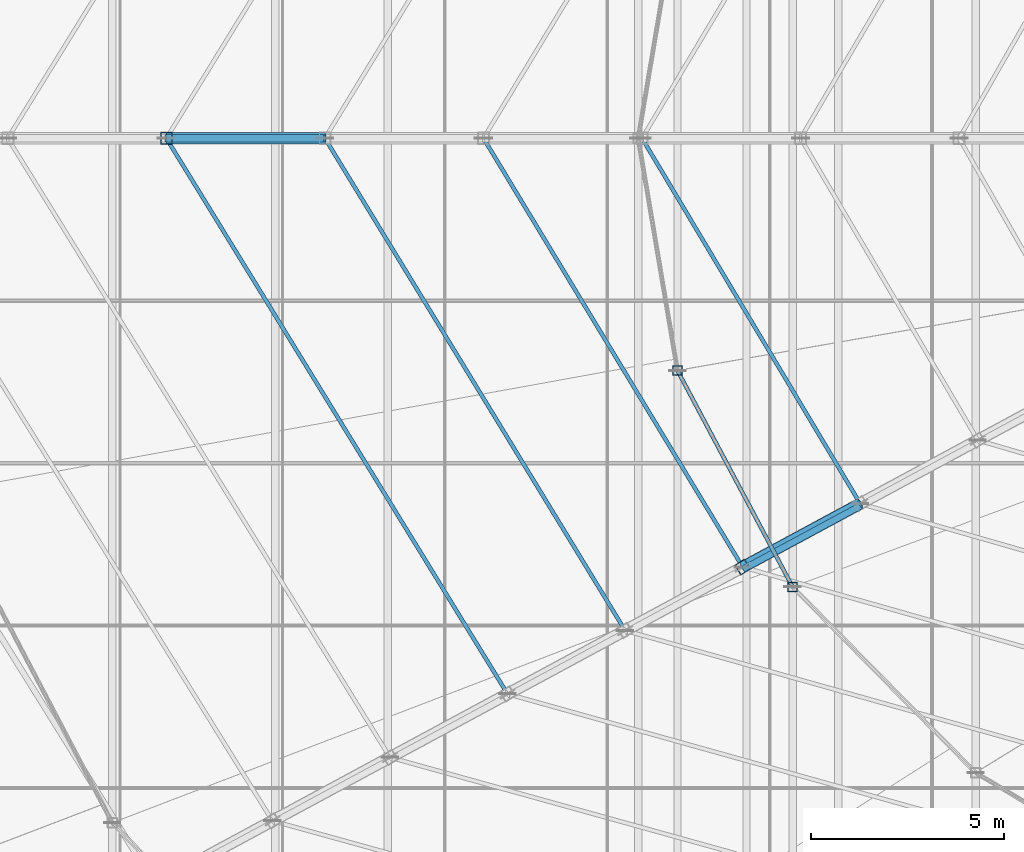
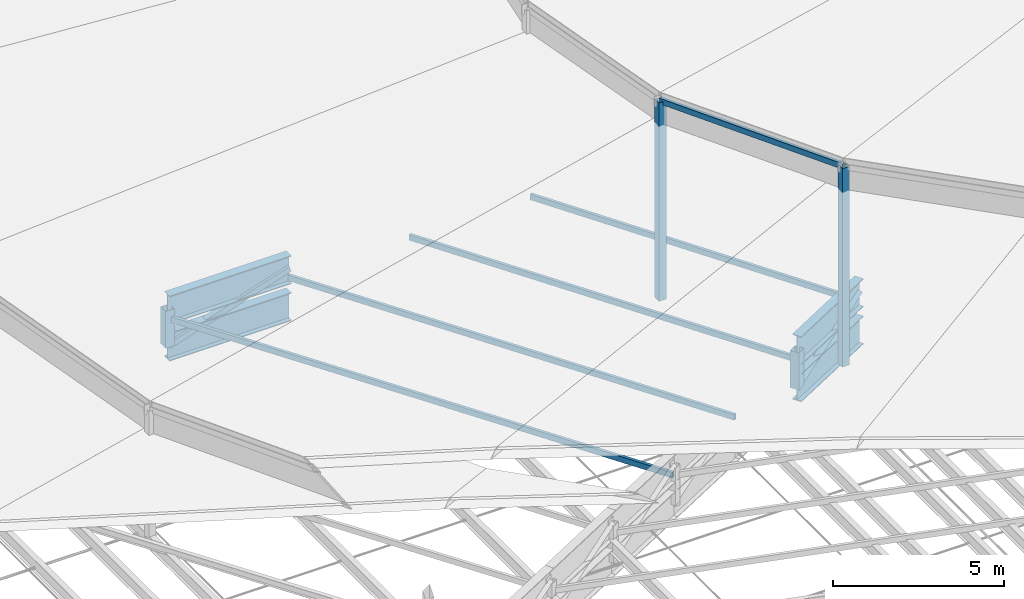
# One storey, part 21 of 184: 11 members, 4 beams.
"""IFC4 building model written with IfcOpenShell, lengths in metres."""

from ifc_helpers import new_model, si_unit, direction, frame, origin, origin_2d, place, context, subcontext, project, spatial, hollow_rectangle, i_section, extrude, material, material_profile, profile_set, type_object, element, save


model = new_model("IFC4")

# Units and contexts
model_context = context("Model", 3, precision=1e-05, world=origin(), true_north=direction((0.0, 1.0)))
body_context = subcontext(model_context, "Body", "Model", "MODEL_VIEW")
ifc_project = project(units=[si_unit("LENGTHUNIT", "METRE"), si_unit("AREAUNIT", "SQUARE_METRE"), si_unit("VOLUMEUNIT", "CUBIC_METRE"), si_unit("PLANEANGLEUNIT", "RADIAN"), si_unit("MASSUNIT", "GRAM", prefix="KILO")], contexts=[model_context])

# Site, building, storey
site_placement = place(None, origin())
site = spatial("IfcSite", under=ifc_project, at=site_placement, CompositionType="ELEMENT")
building_placement = place(site_placement, origin())
building = spatial("IfcBuilding", under=site, at=building_placement, Name="Kalgoora Escarpment Arena", CompositionType="ELEMENT")
storey_placement = place(building_placement, frame((0.0, 0.0, 27.60009765625)))
storey = spatial("IfcBuildingStorey", under=building, at=storey_placement, Name="Roof Level", CompositionType="ELEMENT", Elevation=27.60009765625)

# Beams
ifc_material_1 = material(Name="Structural steel Grade 350 (350 MPa)", Category="steel")
ifc_material_profile_1 = material_profile(ifc_material_1, i_section(OverallWidth=0.300048828125, OverallDepth=1.010009765625, WebThickness=0.01611328125, FlangeThickness=0.030029296875, at=origin_2d()))
ifc_profile_set_1 = profile_set([ifc_material_profile_1], Name="Structural steel Grade 350 (350 MPa)")
beam_type = type_object("IfcBeamType", Name="BM-TRUSS-CHORD", PredefinedType="USERDEFINED", material=ifc_profile_set_1)
for number, where, z_axis, x_axis, name in (
    (1, (64.18798828125, 64.0, -1.630126953125), (0.999999227238, 0.0, 0.001243191083), (0.0, 1.0, 0.0), "Radial ROOF TRUSS spine 5 bottom chord 6"),
    (2, (64.18798828125, 64.0, -0.31005859375), (0.999997054401, 0.0, 0.002427177317), (0.0, 1.0, 0.0), "Radial ROOF TRUSS spine 5 top chord 6"),
):
    element("IfcBeam", number, at=place(storey_placement, frame(where, z_axis=z_axis, x_axis=x_axis)), inside=storey, type_object=beam_type, Name=name, ObjectType="GIRDER", PredefinedType="USERDEFINED", context=body_context, shape_type="SweptSolid", body=[
        extrude(i_section(OverallWidth=0.300048828125, OverallDepth=1.010009765625, WebThickness=0.01611328125, FlangeThickness=0.030029296875, at=origin_2d()), origin(), (0.0, 0.0, 1.0), 4.1240234375),
    ])
for number, where, z_axis, x_axis, name in (
    (3, (79.0908203125, 52.90673828125, -1.6201171875), (0.880021216574, 0.474932085135, 0.00147407239), (-0.474932601123, 0.88002217267, 0.0), "Radial ROOF TRUSS spine 6 bottom chord 8"),
    (4, (79.0908203125, 52.90673828125, -0.2900390625), (0.880018528248, 0.474930634293, 0.002877942064), (-0.474932601123, 0.88002217267, 0.0), "Radial ROOF TRUSS spine 6 top chord 8"),
):
    element("IfcBeam", number, at=place(storey_placement, frame(where, z_axis=z_axis, x_axis=x_axis)), inside=storey, type_object=beam_type, Name=name, ObjectType="GIRDER", PredefinedType="USERDEFINED", context=body_context, shape_type="SweptSolid", body=[
        extrude(i_section(OverallWidth=0.300048828125, OverallDepth=1.010009765625, WebThickness=0.01611328125, FlangeThickness=0.030029296875, at=origin_2d()), origin(), (0.0, 0.0, 1.0), 3.47802734375),
    ])

# Members
ifc_material_2 = material(Name="Structural steel C450 (450 MPa)", Category="steel")
ifc_material_profile_2 = material_profile(ifc_material_2, hollow_rectangle(XDim=0.25, YDim=0.25, WallThickness=0.012451171875, at=origin_2d()))
ifc_profile_set_2 = profile_set([ifc_material_profile_2], Name="Structural steel C450 (450 MPa)")
member_type_1 = type_object("IfcMemberType", Name="MEM-PETAL-POST", PredefinedType="POST", material=ifc_profile_set_2)
for number, where, z_axis, x_axis, name in (
    (5, (77.415283203125, 57.995361328125, -0.960205078125), (0.0, 0.0, 1.0), (1.0, 0.0, 0.0), "Petal RP4 vertical support post S14"),
    (6, (80.392333984375, 52.39990234375, -0.960205078125), (0.0, 0.0, 1.0), (1.0, 0.0, 0.0), "Petal RP4 vertical support post S15"),
):
    element("IfcMember", number, at=place(storey_placement, frame(where, z_axis=z_axis, x_axis=x_axis)), inside=storey, type_object=member_type_1, Name=name, PredefinedType="POST", context=body_context, shape_type="SweptSolid", body=[
        extrude(hollow_rectangle(XDim=0.25, YDim=0.25, WallThickness=0.012451171875, at=origin_2d()), origin(), (0.0, 0.0, 1.0), 7.105224609375),
    ])
ifc_material_3 = material(Name="Structural steel C350 (350 MPa)", Category="steel")
ifc_material_profile_3 = material_profile(ifc_material_3, hollow_rectangle(XDim=0.10009765625, YDim=0.199951171875, WallThickness=0.009033203125, at=origin_2d()))
ifc_profile_set_3 = profile_set([ifc_material_profile_3], Name="Structural steel C350 (350 MPa)")
member_type_2 = type_object("IfcMemberType", Name="MEM-PURLIN-RHS", PredefinedType="PURLIN", material=ifc_profile_set_3)
member_1_placement = place(storey_placement, frame((64.199951171875, 64.0, -0.66015625), z_axis=(0.523233516421, -0.852189349437, 0.0), x_axis=(0.852189349437, 0.523233516421, 0.0)))
element("IfcMember", 7, at=member_1_placement, inside=storey, type_object=member_type_2, Name="Roof circumferential purlin ring 5 sector 5", PredefinedType="PURLIN", context=body_context, shape_type="SweptSolid", body=[
    extrude(hollow_rectangle(XDim=0.10009765625, YDim=0.199951171875, WallThickness=0.009033203125, at=origin_2d()), origin(), (0.0, 0.0, 1.0), 16.860595703125),
])
member_2_placement = place(storey_placement, frame((68.300048828125, 64.0, -0.650146484375), z_axis=(0.520650226205, -0.853770075578, 0.0), x_axis=(0.853770075578, 0.520650226205, 0.0)))
element("IfcMember", 8, at=member_2_placement, inside=storey, type_object=member_type_2, Name="Roof circumferential purlin ring 6 sector 5", PredefinedType="PURLIN", context=body_context, shape_type="SweptSolid", body=[
    extrude(hollow_rectangle(XDim=0.10009765625, YDim=0.199951171875, WallThickness=0.009033203125, at=origin_2d()), origin(), (0.0, 0.0, 1.0), 14.90771484375),
])
member_3_placement = place(storey_placement, frame((72.39990234375, 64.0, -0.64013671875), z_axis=(0.517272669757, -0.855820650091, 0.0), x_axis=(0.855820650091, 0.517272669757, 0.0)))
element("IfcMember", 9, at=member_3_placement, inside=storey, type_object=member_type_2, Name="Roof circumferential purlin ring 7 sector 5", PredefinedType="PURLIN", context=body_context, shape_type="SweptSolid", body=[
    extrude(hollow_rectangle(XDim=0.10009765625, YDim=0.199951171875, WallThickness=0.009033203125, at=origin_2d()), origin(), (0.0, 0.0, 1.0), 12.955322265625),
])
member_4_placement = place(storey_placement, frame((76.5, 64.0, -0.630126953125), z_axis=(0.51268364842, -0.85857758918, 0.0), x_axis=(0.85857758918, 0.51268364842, 0.0)))
element("IfcMember", 10, at=member_4_placement, inside=storey, type_object=member_type_2, Name="Roof circumferential purlin ring 8 sector 5", PredefinedType="PURLIN", context=body_context, shape_type="SweptSolid", body=[
    extrude(hollow_rectangle(XDim=0.10009765625, YDim=0.199951171875, WallThickness=0.009033203125, at=origin_2d()), origin(), (0.0, 0.0, 1.0), 11.003173828125),
])
member_5_placement = place(storey_placement, frame((77.415283203125, 57.995361328125, 6.125), z_axis=(0.469704321277, -0.882823793616, 0.0), x_axis=(0.882823793616, 0.469704321277, 0.0)))
element("IfcMember", 11, at=member_5_placement, inside=storey, type_object=member_type_2, Name="Petal RP4 eave support ring purlin S14", PredefinedType="PURLIN", context=body_context, shape_type="SweptSolid", body=[
    extrude(hollow_rectangle(XDim=0.10009765625, YDim=0.199951171875, WallThickness=0.009033203125, at=origin_2d()), origin(), (0.0, 0.0, 1.0), 6.338134765625),
])
ifc_material_4 = material(Name="Structural steel C350 (350 MPa)", Category="steel")
ifc_material_profile_4 = material_profile(ifc_material_4, hollow_rectangle(XDim=0.199951171875, YDim=0.199951171875, WallThickness=0.009033203125, at=origin_2d()))
ifc_profile_set_4 = profile_set([ifc_material_profile_4], Name="Structural steel C350 (350 MPa)")
member_type_3 = type_object("IfcMemberType", Name="MEM-TRUSS-DIAG", PredefinedType="BRACE", material=ifc_profile_set_4)
member_6_placement = place(storey_placement, frame((64.199951171875, 64.0, -1.630126953125), z_axis=(0.951201253991, 0.0, 0.308571182073), x_axis=(0.0, 1.0, 0.0)))
element("IfcMember", 12, at=member_6_placement, inside=storey, type_object=member_type_3, Name="Radial ROOF TRUSS spine 5 web diagonal 6", PredefinedType="BRACE", context=body_context, shape_type="SweptSolid", body=[
    extrude(hollow_rectangle(XDim=0.199951171875, YDim=0.199951171875, WallThickness=0.009033203125, at=origin_2d()), origin(), (0.0, 0.0, 1.0), 4.310546875),
])
member_7_placement = place(storey_placement, frame((79.101318359375, 52.91259765625, -1.6201171875), z_axis=(0.820457077737, 0.442747659249, 0.361696964075), x_axis=(-0.571590469768, 0.648090169346, 0.503252886)))
element("IfcMember", 13, at=member_7_placement, inside=storey, type_object=member_type_3, Name="Radial ROOF TRUSS spine 6 web diagonal 8", PredefinedType="BRACE", context=body_context, shape_type="SweptSolid", body=[
    extrude(hollow_rectangle(XDim=0.199951171875, YDim=0.199951171875, WallThickness=0.009033203125, at=origin_2d()), origin(), (0.0, 0.0, 1.0), 3.705078125),
])
ifc_material_5 = material(Name="Structural steel C450 (450 MPa)", Category="steel")
ifc_material_profile_5 = material_profile(ifc_material_5, hollow_rectangle(XDim=0.300048828125, YDim=0.300048828125, WallThickness=0.012451171875, at=origin_2d()))
ifc_profile_set_5 = profile_set([ifc_material_profile_5], Name="Structural steel C450 (450 MPa)")
member_type_4 = type_object("IfcMemberType", Name="MEM-TRUSS-POST", PredefinedType="POST", material=ifc_profile_set_5)
member_8_placement = place(storey_placement, frame((64.199951171875, 64.0, -1.630126953125), z_axis=(0.0, 0.0, 1.0), x_axis=(1.0, 0.0, 0.0)))
element("IfcMember", 14, at=member_8_placement, inside=storey, type_object=member_type_4, Name="Radial ROOF TRUSS spine 5 post 5", PredefinedType="POST", context=body_context, shape_type="SweptSolid", body=[
    extrude(hollow_rectangle(XDim=0.300048828125, YDim=0.300048828125, WallThickness=0.012451171875, at=origin_2d()), origin(), (0.0, 0.0, 1.0), 1.320068359375),
])
member_9_placement = place(storey_placement, frame((79.101318359375, 52.91259765625, -1.6201171875), z_axis=(0.0, 0.0, 1.0), x_axis=(0.84179353575, 0.539799632428, 0.0)))
element("IfcMember", 15, at=member_9_placement, inside=storey, type_object=member_type_4, Name="Radial ROOF TRUSS spine 6 post 7", PredefinedType="POST", context=body_context, shape_type="SweptSolid", body=[
    extrude(hollow_rectangle(XDim=0.300048828125, YDim=0.300048828125, WallThickness=0.012451171875, at=origin_2d()), origin(), (0.0, 0.0, 1.0), 1.330078125),
])

save(model, "model.ifc")
